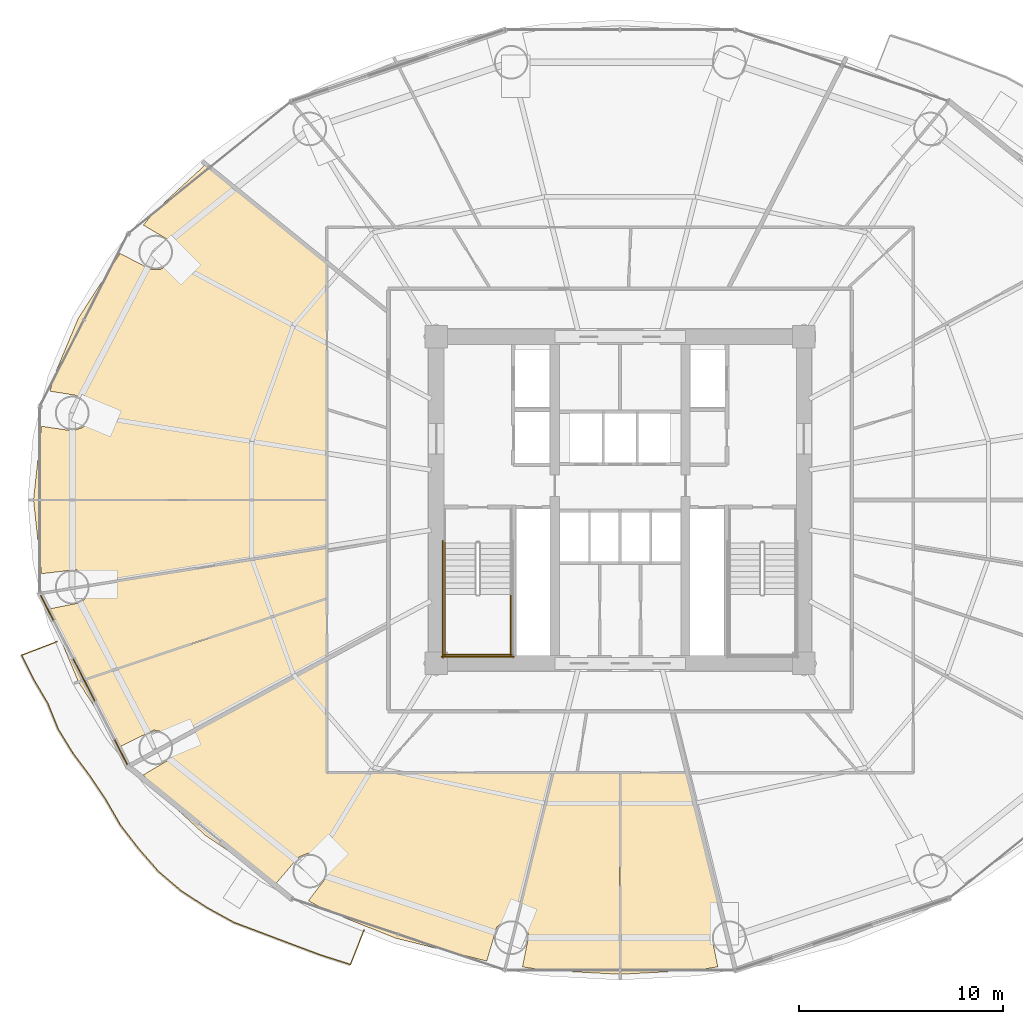
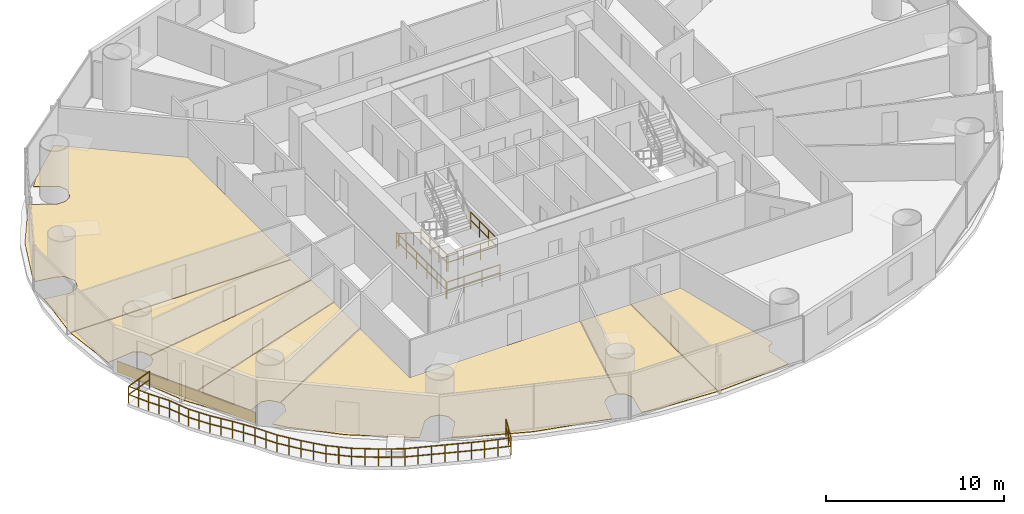
# One storey, part 26 of 29: 8 coverings, 7 railings.
"""IFC4 building model written with IfcOpenShell, lengths in metres."""

import ifcopenshell
import ifcopenshell.guid

model = None  # the IFC model being written
_history = None  # IfcOwnerHistory: only IFC2X3 demands one
_inside = {}  # id of a spatial element -> (the spatial element, [elements in it])
_under = {}  # id of a project, library or spatial element -> (it, [spatial elements below it])
_declared = {}  # id of a project -> (the project, [libraries it declares])
_typed = {}  # id of a type object -> (the type object, [elements of that type])
_made_of = {}  # id of a material, layer set ... -> (it, [elements and type objects made of it])


def new_model(schema):
    """Start an empty IFC model of exactly this schema.

    Asked for "IFC4X3", IfcOpenShell would pick the latest addendum, in which some entities
    have other attributes; the version numbers below select the first issue.
    IFC2X3 requires an IfcOwnerHistory on every rooted entity: one is made here for all.
    """
    global model, _history
    if schema == "IFC4X3":
        model = ifcopenshell.file(schema_version=(4, 3, 0, 0))
    else:
        model = ifcopenshell.file(schema=schema)
    _inside.clear()
    _under.clear()
    _declared.clear()
    _typed.clear()
    _made_of.clear()
    _history = None
    if model.schema == "IFC2X3":
        org = make("IfcOrganization", Name="unknown")
        user = make(
            "IfcPersonAndOrganization",
            ThePerson=make("IfcPerson", FamilyName="unknown"),
            TheOrganization=org,
        )
        app = make(
            "IfcApplication",
            ApplicationDeveloper=org,
            Version="unknown",
            ApplicationFullName="unknown",
            ApplicationIdentifier="unknown",
        )
        _history = make(
            "IfcOwnerHistory",
            OwningUser=user,
            OwningApplication=app,
            ChangeAction="ADDED",
            CreationDate=0,
        )
    return model


def make(cls, **values):
    """One entity of the class cls with the attributes given. An attribute that is None is left unset."""
    return model.create_entity(
        cls, **{name: value for name, value in values.items() if value is not None}
    )


def rooted(cls, **values):
    """An entity with a GlobalId (a new one), such as an element, a storey or a relation."""
    return make(cls, GlobalId=ifcopenshell.guid.new(), OwnerHistory=_history, **values)


def si_unit(unit_type, name, prefix=None):
    """IfcSIUnit, for example si_unit("LENGTHUNIT", "METRE", prefix="MILLI")."""
    return make("IfcSIUnit", UnitType=unit_type, Prefix=prefix, Name=name)


def assignment(units):
    """IfcUnitAssignment: the units of a project."""
    return None if units is None else make("IfcUnitAssignment", Units=units)


def point(xyz):
    """IfcCartesianPoint."""
    return None if xyz is None else make("IfcCartesianPoint", Coordinates=xyz)


def direction(xyz):
    """IfcDirection."""
    return None if xyz is None else make("IfcDirection", DirectionRatios=xyz)


def frame(location, z_axis=None, x_axis=None):
    """IfcAxis2Placement3D, a coordinate frame: its origin and axes. An axis left out is left unset."""
    return make(
        "IfcAxis2Placement3D",
        Location=point(location),
        Axis=direction(z_axis),
        RefDirection=direction(x_axis),
    )


def frame_2d(location, x_axis=None):
    """IfcAxis2Placement2D, a coordinate frame in the plane: its origin and x axis."""
    return make(
        "IfcAxis2Placement2D", Location=point(location), RefDirection=direction(x_axis)
    )


def origin():
    """The frame at (0, 0, 0) with its axes left unset."""
    return frame((0.0, 0.0, 0.0))


def origin_2d():
    """The frame at (0, 0) in the plane with its x axis left unset."""
    return frame_2d((0.0, 0.0))


def place(relative_to, where):
    """IfcLocalPlacement: puts the frame where relative to a parent placement (None: the world)."""
    return make(
        "IfcLocalPlacement", PlacementRelTo=relative_to, RelativePlacement=where
    )


def context(
    kind, dimensions, precision=None, world=None, true_north=None, identifier=None
):
    """IfcGeometricRepresentationContext, for example the 3D "Model" context."""
    return make(
        "IfcGeometricRepresentationContext",
        ContextIdentifier=identifier,
        ContextType=kind,
        CoordinateSpaceDimension=dimensions,
        Precision=precision,
        WorldCoordinateSystem=world,
        TrueNorth=true_north,
    )


def subcontext(parent, identifier, kind, view, scale=None):
    """IfcGeometricRepresentationSubContext, for example "Body" below "Model"."""
    return make(
        "IfcGeometricRepresentationSubContext",
        ContextIdentifier=identifier,
        ContextType=kind,
        ParentContext=parent,
        TargetScale=scale,
        TargetView=view,
    )


def project(units=None, contexts=None):
    """IfcProject with its units and contexts."""
    return rooted(
        "IfcProject",
        Name="project",
        RepresentationContexts=contexts,
        UnitsInContext=assignment(units),
    )


def spatial(cls, under=None, at=None, **own):
    """A site, building, storey or space (cls), placed at a placement, below another one or the project."""
    s = rooted(cls, ObjectPlacement=at, **own)
    if under is not None:
        _under.setdefault(under.id(), (under, []))[1].append(s)
    return s


def polyline(points):
    """IfcPolyline through the points."""
    return make("IfcPolyline", Points=[point(p) for p in points])


def profile(cls, at=None, kind="AREA", **sizes):
    """A parametric profile (cls). Its sizes go by their IFC names, for example OverallWidth=200.0."""
    return make(cls, ProfileType=kind, Position=at, **sizes)


def rectangle(**sizes):
    """IfcRectangleProfileDef."""
    return profile("IfcRectangleProfileDef", **sizes)


def outline(outer, holes=None, kind="AREA"):
    """IfcArbitraryClosedProfileDef: a profile drawn as a closed curve; with holes, ...WithVoids."""
    if holes is None:
        return make("IfcArbitraryClosedProfileDef", ProfileType=kind, OuterCurve=outer)
    return make(
        "IfcArbitraryProfileDefWithVoids",
        ProfileType=kind,
        OuterCurve=outer,
        InnerCurves=holes,
    )


def extrude(swept, where, along, depth):
    """IfcExtrudedAreaSolid: the profile swept, set in the frame where, extruded along a direction by depth."""
    return make(
        "IfcExtrudedAreaSolid",
        SweptArea=swept,
        Position=where,
        ExtrudedDirection=direction(along),
        Depth=depth,
    )


def shape(context_of_items, identifier, shape_type, items):
    """IfcShapeRepresentation: the items that make up one representation, for example the "Body"."""
    return make(
        "IfcShapeRepresentation",
        ContextOfItems=context_of_items,
        RepresentationIdentifier=identifier,
        RepresentationType=shape_type,
        Items=items,
    )


def source(mapping_origin, context_of_items, identifier, shape_type, items):
    """IfcRepresentationMap: a shape defined once, which mapped items show again and again."""
    return make(
        "IfcRepresentationMap",
        MappingOrigin=mapping_origin,
        MappedRepresentation=shape(context_of_items, identifier, shape_type, items),
    )


def transform(
    local_origin,
    x_axis=None,
    y_axis=None,
    z_axis=None,
    scale=None,
    scale2=None,
    scale3=None,
    uniform=True,
):
    """IfcCartesianTransformationOperator3D, or its non-uniform kind. x_axis, y_axis, z_axis: its Axis1, 2, 3."""
    if uniform:
        return make(
            "IfcCartesianTransformationOperator3D",
            Axis1=direction(x_axis),
            Axis2=direction(y_axis),
            LocalOrigin=point(local_origin),
            Scale=scale,
            Axis3=direction(z_axis),
        )
    return make(
        "IfcCartesianTransformationOperator3DnonUniform",
        Axis1=direction(x_axis),
        Axis2=direction(y_axis),
        LocalOrigin=point(local_origin),
        Scale=scale,
        Axis3=direction(z_axis),
        Scale2=scale2,
        Scale3=scale3,
    )


def mapped(mapping_source, mapping_target):
    """IfcMappedItem: shows the shape of a source again, moved by a transform."""
    return make(
        "IfcMappedItem", MappingSource=mapping_source, MappingTarget=mapping_target
    )


def material(Name=None, Category=None):
    """IfcMaterial."""
    return make("IfcMaterial", Name=Name, Category=Category)


def layer(
    of_material, thickness, ventilated=None, Name=None, Category=None, Priority=None
):
    """IfcMaterialLayer: one layer of a wall or slab, of a material (None: an air gap)."""
    return make(
        "IfcMaterialLayer",
        Material=of_material,
        LayerThickness=thickness,
        IsVentilated=ventilated,
        Name=Name,
        Category=Category,
        Priority=Priority,
    )


def layer_set(layers, Name=None):
    """IfcMaterialLayerSet."""
    return make("IfcMaterialLayerSet", MaterialLayers=layers, LayerSetName=Name)


def made_of(thing, what):
    """Note that an element or type object is made of a material, layer set ...; save() writes the relation."""
    if what is not None:
        _made_of.setdefault(what.id(), (what, []))[1].append(thing)
    return thing


def type_object(cls, material=None, **own):
    """A type object (cls), such as IfcWallType, which elements share."""
    return made_of(rooted(cls, **own), material)


def element(
    cls,
    number,
    at=None,
    inside=None,
    cuts=None,
    type_object=None,
    material=None,
    context=None,
    identifier="Body",
    shape_type=None,
    held_by="IfcProductDefinitionShape",
    body=None,
    shapes=None,
    **own,
):
    """One element of the class cls, such as IfcWall. Its Tag is "e" and its number.

    at: its placement. inside: the storey or other place that contains it. cuts: it is an
    opening in that element (IfcRelVoidsElement). A single representation is given by context,
    identifier, shape_type and body (its items); several are given by shapes. held_by: the class
    of the entity that holds the representations. save() writes the other relations.
    """
    e = rooted(cls, Tag="e%d" % number, ObjectPlacement=at, **own)
    if body is not None:
        shapes = [shape(context, identifier, shape_type, body)]
    if shapes is not None:
        e.Representation = make(held_by, Representations=shapes)
    if inside is not None:
        _inside.setdefault(inside.id(), (inside, []))[1].append(e)
    if cuts is not None:
        rooted(
            "IfcRelVoidsElement", RelatingBuildingElement=cuts, RelatedOpeningElement=e
        )
    if type_object is not None:
        _typed.setdefault(type_object.id(), (type_object, []))[1].append(e)
    return made_of(e, material)


def aggregate(whole, parts):
    """IfcRelAggregates: a whole, such as a stair, and the parts it consists of."""
    return rooted("IfcRelAggregates", RelatingObject=whole, RelatedObjects=parts)


def save(model, path):
    """Write the relations noted so far, then the file.

    IfcRelAggregates (storeys below a building ...), IfcRelContainedInSpatialStructure (elements
    in a storey), IfcRelDefinesByType, IfcRelAssociatesMaterial and IfcRelDeclares: one each for
    every whole, place, type object, material and project.
    """
    for whole, parts in _under.values():
        aggregate(whole, parts)
    for where, things in _inside.values():
        rooted(
            "IfcRelContainedInSpatialStructure",
            RelatedElements=things,
            RelatingStructure=where,
        )
    for kind, things in _typed.values():
        rooted("IfcRelDefinesByType", RelatedObjects=things, RelatingType=kind)
    for what, things in _made_of.values():
        rooted("IfcRelAssociatesMaterial", RelatedObjects=things, RelatingMaterial=what)
    for by, libraries in _declared.values():
        rooted("IfcRelDeclares", RelatingContext=by, RelatedDefinitions=libraries)
    model.write(path)


model = new_model("IFC4")

# Units and contexts
model_context = context("Model", 3, precision=1e-05, world=origin(), true_north=direction((-0.2419218956, 0.970295726276)))
body_context = subcontext(model_context, "Body", "Model", "MODEL_VIEW")
ifc_project = project(units=[si_unit("LENGTHUNIT", "METRE"), si_unit("AREAUNIT", "SQUARE_METRE"), si_unit("VOLUMEUNIT", "CUBIC_METRE"), si_unit("PLANEANGLEUNIT", "RADIAN"), si_unit("MASSUNIT", "GRAM", prefix="KILO")], contexts=[model_context])

# Site, building, storey
site_placement = place(None, origin())
site = spatial("IfcSite", under=ifc_project, at=site_placement, CompositionType="ELEMENT")
building_placement = place(site_placement, origin())
building = spatial("IfcBuilding", under=site, at=building_placement, Name="Cobrevalo Terracotta Tower", CompositionType="ELEMENT")
storey_placement = place(building_placement, frame((0.0, 0.0, 70.800048828125)))
storey = spatial("IfcBuildingStorey", under=building, at=storey_placement, Name="L18", CompositionType="ELEMENT", Elevation=70.800048828125)

# Railing
ifc_material_1 = material(Name="Laminated structural glass and stainless steel", Category="steel")
railing_type_1 = type_object("IfcRailingType", Name="Balcony lobe structural glass & terracotta-cap balustrade 1180 mm", PredefinedType="BALUSTRADE", material=ifc_material_1)
railing_1_placement = place(storey_placement, frame((10.439208984375, 19.87158203125, 0.0)))
element("IfcRailing", 1, at=railing_1_placement, inside=storey, type_object=railing_type_1, Name="L18 spiralling balcony lobe balustrade 2", PredefinedType="BALUSTRADE", context=body_context, shape_type="SweptSolid", body=[
    extrude(rectangle(XDim=0.048095703125, YDim=0.048095703125, at=origin_2d()), frame((0.0, 0.0, 1.15576171875), z_axis=(-0.933954290556, -0.35739247775, 0.0), x_axis=(0.35739247775, -0.933954290556, 0.0)), (0.0, 0.0, 1.0), 1.866943359375),
    extrude(rectangle(XDim=0.048095703125, YDim=0.048095703125, at=origin_2d()), frame((0.0, 0.0, 0.58984375), z_axis=(-0.933954290556, -0.35739247775, 0.0), x_axis=(0.35739247775, -0.933954290556, 0.0)), (0.0, 0.0, 1.0), 1.866943359375),
    extrude(rectangle(XDim=0.048095703125, YDim=0.048095703125, at=origin_2d()), frame((-1.74365234375, -0.667236328125, 1.15576171875), z_axis=(0.446559708263, -0.894753835955, 0.0), x_axis=(0.894753835955, 0.446559708263, 0.0)), (0.0, 0.0, 1.0), 1.344482421875),
    extrude(rectangle(XDim=0.048095703125, YDim=0.048095703125, at=origin_2d()), frame((-1.74365234375, -0.667236328125, 0.58984375), z_axis=(0.446559708263, -0.894753835955, 0.0), x_axis=(0.894753835955, 0.446559708263, 0.0)), (0.0, 0.0, 1.0), 1.344482421875),
    extrude(rectangle(XDim=0.048095703125, YDim=0.048095703125, at=origin_2d()), frame((-1.143310546875, -1.8701171875, 1.15576171875), z_axis=(0.508643381431, -0.860977299658, 0.0), x_axis=(0.860977299658, 0.508643381431, 0.0)), (0.0, 0.0, 1.0), 1.340087890625),
    extrude(rectangle(XDim=0.048095703125, YDim=0.048095703125, at=origin_2d()), frame((-1.143310546875, -1.8701171875, 0.58984375), z_axis=(0.508643381431, -0.860977299658, 0.0), x_axis=(0.860977299658, 0.508643381431, 0.0)), (0.0, 0.0, 1.0), 1.340087890625),
    extrude(rectangle(XDim=0.048095703125, YDim=0.048095703125, at=origin_2d()), frame((-0.461669921875, -3.02392578125, 1.15576171875), z_axis=(0.375068994527, -0.926996898239, 0.0), x_axis=(0.926996898239, 0.375068994527, 0.0)), (0.0, 0.0, 1.0), 1.3720703125),
    extrude(rectangle(XDim=0.048095703125, YDim=0.048095703125, at=origin_2d()), frame((-0.461669921875, -3.02392578125, 0.58984375), z_axis=(0.375068994527, -0.926996898239, 0.0), x_axis=(0.926996898239, 0.375068994527, 0.0)), (0.0, 0.0, 1.0), 1.3720703125),
    extrude(rectangle(XDim=0.048095703125, YDim=0.048095703125, at=origin_2d()), frame((0.052978515625, -4.2958984375, 1.15576171875), z_axis=(0.521811507393, -0.853060813045, 0.0), x_axis=(0.853060813045, 0.521811507393, 0.0)), (0.0, 0.0, 1.0), 1.36572265625),
    extrude(rectangle(XDim=0.048095703125, YDim=0.048095703125, at=origin_2d()), frame((0.052978515625, -4.2958984375, 0.58984375), z_axis=(0.521811507393, -0.853060813045, 0.0), x_axis=(0.853060813045, 0.521811507393, 0.0)), (0.0, 0.0, 1.0), 1.36572265625),
    extrude(rectangle(XDim=0.048095703125, YDim=0.048095703125, at=origin_2d()), frame((0.765625, -5.4609375, 1.15576171875), z_axis=(0.597737328175, -0.801692014745, 0.0), x_axis=(0.801692014745, 0.597737328175, 0.0)), (0.0, 0.0, 1.0), 1.382568359375),
    extrude(rectangle(XDim=0.048095703125, YDim=0.048095703125, at=origin_2d()), frame((0.765625, -5.4609375, 0.58984375), z_axis=(0.597737328175, -0.801692014745, 0.0), x_axis=(0.801692014745, 0.597737328175, 0.0)), (0.0, 0.0, 1.0), 1.382568359375),
    extrude(rectangle(XDim=0.048095703125, YDim=0.048095703125, at=origin_2d()), frame((1.592041015625, -6.5693359375, 1.15576171875), z_axis=(0.558466109692, -0.829527337901, 0.0), x_axis=(0.829527337901, 0.558466109692, 0.0)), (0.0, 0.0, 1.0), 1.404052734375),
    extrude(rectangle(XDim=0.048095703125, YDim=0.048095703125, at=origin_2d()), frame((1.592041015625, -6.5693359375, 0.58984375), z_axis=(0.558466109692, -0.829527337901, 0.0), x_axis=(0.829527337901, 0.558466109692, 0.0)), (0.0, 0.0, 1.0), 1.404052734375),
    extrude(rectangle(XDim=0.048095703125, YDim=0.048095703125, at=origin_2d()), frame((2.376220703125, -7.734130859375, 1.15576171875), z_axis=(0.497268614856, -0.867596637084, 0.0), x_axis=(0.867596637084, 0.497268614856, 0.0)), (0.0, 0.0, 1.0), 1.4423828125),
    extrude(rectangle(XDim=0.048095703125, YDim=0.048095703125, at=origin_2d()), frame((2.376220703125, -7.734130859375, 0.58984375), z_axis=(0.497268614856, -0.867596637084, 0.0), x_axis=(0.867596637084, 0.497268614856, 0.0)), (0.0, 0.0, 1.0), 1.4423828125),
    extrude(rectangle(XDim=0.048095703125, YDim=0.048095703125, at=origin_2d()), frame((3.093505859375, -8.985595703125, 1.15576171875), z_axis=(0.611054008464, -0.791588907666, 0.0), x_axis=(0.791588907666, 0.611054008464, 0.0)), (0.0, 0.0, 1.0), 1.4658203125),
    extrude(rectangle(XDim=0.048095703125, YDim=0.048095703125, at=origin_2d()), frame((3.093505859375, -8.985595703125, 0.58984375), z_axis=(0.611054008464, -0.791588907666, 0.0), x_axis=(0.791588907666, 0.611054008464, 0.0)), (0.0, 0.0, 1.0), 1.4658203125),
    extrude(rectangle(XDim=0.048095703125, YDim=0.048095703125, at=origin_2d()), frame((3.9892578125, -10.14599609375, 1.15576171875), z_axis=(0.656789864835, -0.754073652536, 0.0), x_axis=(0.754073652536, 0.656789864835, 0.0)), (0.0, 0.0, 1.0), 1.47314453125),
    extrude(rectangle(XDim=0.048095703125, YDim=0.048095703125, at=origin_2d()), frame((3.9892578125, -10.14599609375, 0.58984375), z_axis=(0.656789864835, -0.754073652536, 0.0), x_axis=(0.754073652536, 0.656789864835, 0.0)), (0.0, 0.0, 1.0), 1.47314453125),
    extrude(rectangle(XDim=0.048095703125, YDim=0.048095703125, at=origin_2d()), frame((4.956787109375, -11.2568359375, 1.15576171875), z_axis=(0.759826028351, -0.650126454346, 0.0), x_axis=(0.650126454346, 0.759826028351, 0.0)), (0.0, 0.0, 1.0), 1.482177734375),
    extrude(rectangle(XDim=0.048095703125, YDim=0.048095703125, at=origin_2d()), frame((4.956787109375, -11.2568359375, 0.58984375), z_axis=(0.759826028351, -0.650126454346, 0.0), x_axis=(0.650126454346, 0.759826028351, 0.0)), (0.0, 0.0, 1.0), 1.482177734375),
    extrude(rectangle(XDim=0.048095703125, YDim=0.048095703125, at=origin_2d()), frame((6.0830078125, -12.220458984375, 1.15576171875), z_axis=(0.840834497113, -0.54129229485, 0.0), x_axis=(0.54129229485, 0.840834497113, 0.0)), (0.0, 0.0, 1.0), 1.499755859375),
    extrude(rectangle(XDim=0.048095703125, YDim=0.048095703125, at=origin_2d()), frame((6.0830078125, -12.220458984375, 0.58984375), z_axis=(0.840834497113, -0.54129229485, 0.0), x_axis=(0.54129229485, 0.840834497113, 0.0)), (0.0, 0.0, 1.0), 1.499755859375),
    extrude(rectangle(XDim=0.048095703125, YDim=0.048095703125, at=origin_2d()), frame((7.343994140625, -13.0322265625, 1.15576171875), z_axis=(0.875887634911, -0.482515130343, 0.0), x_axis=(0.482515130343, 0.875887634911, 0.0)), (0.0, 0.0, 1.0), 1.49267578125),
    extrude(rectangle(XDim=0.048095703125, YDim=0.048095703125, at=origin_2d()), frame((7.343994140625, -13.0322265625, 0.58984375), z_axis=(0.875887634911, -0.482515130343, 0.0), x_axis=(0.482515130343, 0.875887634911, 0.0)), (0.0, 0.0, 1.0), 1.49267578125),
    extrude(rectangle(XDim=0.048095703125, YDim=0.048095703125, at=origin_2d()), frame((8.6513671875, -13.75244140625, 1.15576171875), z_axis=(0.936198337969, -0.351472149656, 0.0), x_axis=(0.351472149656, 0.936198337969, 0.0)), (0.0, 0.0, 1.0), 1.534423828125),
    extrude(rectangle(XDim=0.048095703125, YDim=0.048095703125, at=origin_2d()), frame((8.6513671875, -13.75244140625, 0.58984375), z_axis=(0.936198337969, -0.351472149656, 0.0), x_axis=(0.351472149656, 0.936198337969, 0.0)), (0.0, 0.0, 1.0), 1.534423828125),
    extrude(rectangle(XDim=0.048095703125, YDim=0.048095703125, at=origin_2d()), frame((10.087890625, -14.291748046875, 1.15576171875), z_axis=(0.935135939184, -0.354289112514, 0.0), x_axis=(0.354289112514, 0.935135939184, 0.0)), (0.0, 0.0, 1.0), 1.511962890625),
    extrude(rectangle(XDim=0.048095703125, YDim=0.048095703125, at=origin_2d()), frame((10.087890625, -14.291748046875, 0.58984375), z_axis=(0.935135939184, -0.354289112514, 0.0), x_axis=(0.354289112514, 0.935135939184, 0.0)), (0.0, 0.0, 1.0), 1.511962890625),
    extrude(rectangle(XDim=0.048095703125, YDim=0.048095703125, at=origin_2d()), frame((11.501708984375, -14.827392578125, 1.15576171875), z_axis=(0.937112239997, -0.349028150223, 0.0), x_axis=(0.349028150223, 0.937112239997, 0.0)), (0.0, 0.0, 1.0), 1.50732421875),
    extrude(rectangle(XDim=0.048095703125, YDim=0.048095703125, at=origin_2d()), frame((11.501708984375, -14.827392578125, 0.58984375), z_axis=(0.937112239997, -0.349028150223, 0.0), x_axis=(0.349028150223, 0.937112239997, 0.0)), (0.0, 0.0, 1.0), 1.50732421875),
    extrude(rectangle(XDim=0.048095703125, YDim=0.048095703125, at=origin_2d()), frame((12.914306640625, -15.353515625, 1.15576171875), z_axis=(0.952761108496, -0.303720710749, 0.0), x_axis=(0.303720710749, 0.952761108496, 0.0)), (0.0, 0.0, 1.0), 1.52001953125),
    extrude(rectangle(XDim=0.048095703125, YDim=0.048095703125, at=origin_2d()), frame((12.914306640625, -15.353515625, 0.58984375), z_axis=(0.952761108496, -0.303720710749, 0.0), x_axis=(0.303720710749, 0.952761108496, 0.0)), (0.0, 0.0, 1.0), 1.52001953125),
    extrude(rectangle(XDim=0.048095703125, YDim=0.048095703125, at=origin_2d()), frame((14.362548828125, -15.815185546875, 1.15576171875), z_axis=(0.364631079954, 0.931152068962, 0.0), x_axis=(-0.931152068962, 0.364631079954, 0.0)), (0.0, 0.0, 1.0), 1.8271484375),
    extrude(rectangle(XDim=0.048095703125, YDim=0.048095703125, at=origin_2d()), frame((14.362548828125, -15.815185546875, 0.58984375), z_axis=(0.364631079954, 0.931152068962, 0.0), x_axis=(-0.931152068962, 0.364631079954, 0.0)), (0.0, 0.0, 1.0), 1.8271484375),
    extrude(rectangle(XDim=0.0419921875, YDim=0.0419921875, at=origin_2d()), origin(), (0.0, 0.0, 1.0), 1.1318359375),
    extrude(rectangle(XDim=0.0419921875, YDim=0.0419921875, at=origin_2d()), frame((-0.871826171875, -0.33349609375, 0.0)), (0.0, 0.0, 1.0), 1.1318359375),
    extrude(rectangle(XDim=0.0419921875, YDim=0.0419921875, at=origin_2d()), frame((-1.74365234375, -0.667236328125, 0.0)), (0.0, 0.0, 1.0), 1.1318359375),
    extrude(rectangle(XDim=0.0419921875, YDim=0.0419921875, at=origin_2d()), frame((-1.443359375, -1.2685546875, 0.0)), (0.0, 0.0, 1.0), 1.1318359375),
    extrude(rectangle(XDim=0.0419921875, YDim=0.0419921875, at=origin_2d()), frame((-1.143310546875, -1.8701171875, 0.0)), (0.0, 0.0, 1.0), 1.1318359375),
    extrude(rectangle(XDim=0.0419921875, YDim=0.0419921875, at=origin_2d()), frame((-0.802490234375, -2.447021484375, 0.0)), (0.0, 0.0, 1.0), 1.1318359375),
    extrude(rectangle(XDim=0.0419921875, YDim=0.0419921875, at=origin_2d()), frame((-0.461669921875, -3.02392578125, 0.0)), (0.0, 0.0, 1.0), 1.1318359375),
    extrude(rectangle(XDim=0.0419921875, YDim=0.0419921875, at=origin_2d()), frame((-0.204345703125, -3.659912109375, 0.0)), (0.0, 0.0, 1.0), 1.1318359375),
    extrude(rectangle(XDim=0.0419921875, YDim=0.0419921875, at=origin_2d()), frame((0.052978515625, -4.2958984375, 0.0)), (0.0, 0.0, 1.0), 1.1318359375),
    extrude(rectangle(XDim=0.0419921875, YDim=0.0419921875, at=origin_2d()), frame((0.4091796875, -4.87841796875, 0.0)), (0.0, 0.0, 1.0), 1.1318359375),
    extrude(rectangle(XDim=0.0419921875, YDim=0.0419921875, at=origin_2d()), frame((0.765625, -5.4609375, 0.0)), (0.0, 0.0, 1.0), 1.1318359375),
    extrude(rectangle(XDim=0.0419921875, YDim=0.0419921875, at=origin_2d()), frame((1.1787109375, -6.01513671875, 0.0)), (0.0, 0.0, 1.0), 1.1318359375),
    extrude(rectangle(XDim=0.0419921875, YDim=0.0419921875, at=origin_2d()), frame((1.592041015625, -6.5693359375, 0.0)), (0.0, 0.0, 1.0), 1.1318359375),
    extrude(rectangle(XDim=0.0419921875, YDim=0.0419921875, at=origin_2d()), frame((1.984130859375, -7.15185546875, 0.0)), (0.0, 0.0, 1.0), 1.1318359375),
    extrude(rectangle(XDim=0.0419921875, YDim=0.0419921875, at=origin_2d()), frame((2.376220703125, -7.734130859375, 0.0)), (0.0, 0.0, 1.0), 1.1318359375),
    extrude(rectangle(XDim=0.0419921875, YDim=0.0419921875, at=origin_2d()), frame((2.73486328125, -8.35986328125, 0.0)), (0.0, 0.0, 1.0), 1.1318359375),
    extrude(rectangle(XDim=0.0419921875, YDim=0.0419921875, at=origin_2d()), frame((3.093505859375, -8.985595703125, 0.0)), (0.0, 0.0, 1.0), 1.1318359375),
    extrude(rectangle(XDim=0.0419921875, YDim=0.0419921875, at=origin_2d()), frame((3.54150390625, -9.56591796875, 0.0)), (0.0, 0.0, 1.0), 1.1318359375),
    extrude(rectangle(XDim=0.0419921875, YDim=0.0419921875, at=origin_2d()), frame((3.9892578125, -10.14599609375, 0.0)), (0.0, 0.0, 1.0), 1.1318359375),
    extrude(rectangle(XDim=0.0419921875, YDim=0.0419921875, at=origin_2d()), frame((4.47314453125, -10.701416015625, 0.0)), (0.0, 0.0, 1.0), 1.1318359375),
    extrude(rectangle(XDim=0.0419921875, YDim=0.0419921875, at=origin_2d()), frame((4.956787109375, -11.2568359375, 0.0)), (0.0, 0.0, 1.0), 1.1318359375),
    extrude(rectangle(XDim=0.0419921875, YDim=0.0419921875, at=origin_2d()), frame((5.52001953125, -11.73876953125, 0.0)), (0.0, 0.0, 1.0), 1.1318359375),
    extrude(rectangle(XDim=0.0419921875, YDim=0.0419921875, at=origin_2d()), frame((6.0830078125, -12.220458984375, 0.0)), (0.0, 0.0, 1.0), 1.1318359375),
    extrude(rectangle(XDim=0.0419921875, YDim=0.0419921875, at=origin_2d()), frame((6.71337890625, -12.62646484375, 0.0)), (0.0, 0.0, 1.0), 1.1318359375),
    extrude(rectangle(XDim=0.0419921875, YDim=0.0419921875, at=origin_2d()), frame((7.343994140625, -13.0322265625, 0.0)), (0.0, 0.0, 1.0), 1.1318359375),
    extrude(rectangle(XDim=0.0419921875, YDim=0.0419921875, at=origin_2d()), frame((7.99755859375, -13.392333984375, 0.0)), (0.0, 0.0, 1.0), 1.1318359375),
    extrude(rectangle(XDim=0.0419921875, YDim=0.0419921875, at=origin_2d()), frame((8.6513671875, -13.75244140625, 0.0)), (0.0, 0.0, 1.0), 1.1318359375),
    extrude(rectangle(XDim=0.0419921875, YDim=0.0419921875, at=origin_2d()), frame((9.36962890625, -14.02197265625, 0.0)), (0.0, 0.0, 1.0), 1.1318359375),
    extrude(rectangle(XDim=0.0419921875, YDim=0.0419921875, at=origin_2d()), frame((10.087890625, -14.291748046875, 0.0)), (0.0, 0.0, 1.0), 1.1318359375),
    extrude(rectangle(XDim=0.0419921875, YDim=0.0419921875, at=origin_2d()), frame((10.794921875, -14.5595703125, 0.0)), (0.0, 0.0, 1.0), 1.1318359375),
    extrude(rectangle(XDim=0.0419921875, YDim=0.0419921875, at=origin_2d()), frame((11.501708984375, -14.827392578125, 0.0)), (0.0, 0.0, 1.0), 1.1318359375),
    extrude(rectangle(XDim=0.0419921875, YDim=0.0419921875, at=origin_2d()), frame((12.2080078125, -15.09033203125, 0.0)), (0.0, 0.0, 1.0), 1.1318359375),
    extrude(rectangle(XDim=0.0419921875, YDim=0.0419921875, at=origin_2d()), frame((12.914306640625, -15.353515625, 0.0)), (0.0, 0.0, 1.0), 1.1318359375),
    extrude(rectangle(XDim=0.0419921875, YDim=0.0419921875, at=origin_2d()), frame((13.638427734375, -15.58447265625, 0.0)), (0.0, 0.0, 1.0), 1.1318359375),
    extrude(rectangle(XDim=0.0419921875, YDim=0.0419921875, at=origin_2d()), frame((14.362548828125, -15.815185546875, 0.0)), (0.0, 0.0, 1.0), 1.1318359375),
    extrude(rectangle(XDim=0.0419921875, YDim=0.0419921875, at=origin_2d()), frame((14.69580078125, -14.96435546875, 0.0)), (0.0, 0.0, 1.0), 1.1318359375),
    extrude(rectangle(XDim=0.0419921875, YDim=0.0419921875, at=origin_2d()), frame((15.02880859375, -14.11376953125, 0.0)), (0.0, 0.0, 1.0), 1.1318359375),
])

# Coverings
ifc_material_2 = material(Name="Engineered Brazilian hardwood flooring", Category="wood")
ifc_layer_1 = layer(ifc_material_2, 0.028076171875)
ifc_layer_set_1 = layer_set([ifc_layer_1], Name="Engineered Brazilian hardwood flooring")
covering_type_1 = type_object("IfcCoveringType", Name="Engineered Hardwood Suite Flooring 28", PredefinedType="FLOORING", material=ifc_layer_set_1)
covering_1_placement = place(storey_placement, origin())
element("IfcCovering", 2, at=covering_1_placement, inside=storey, type_object=covering_type_1, Name="Flat L18C Penthouse Living and Dining Room floor finish", PredefinedType="FLOORING", context=body_context, shape_type="SweptSolid", body=[
    extrude(outline(polyline([(9.668701171875, 30.4111328125), (11.209716796875, 30.183349609375), (11.6923828125, 30.350341796875), (11.92578125, 30.6025390625), (12.054931640625, 31.096923828125), (11.773193359375, 31.708740234375), (11.314697265625, 31.931640625), (10.090576171875, 32.126220703125), (10.25830078125, 32.80859375), (11.465576171875, 35.684326171875), (13.511962890625, 38.87451171875), (15.00439453125, 38.096923828125), (15.51513671875, 38.09716796875), (15.93994140625, 38.38134765625), (16.135009765625, 39.02587890625), (15.939208984375, 39.497802734375), (14.65576171875, 40.2587890625), (15.213623046875, 40.933837890625), (17.701416015625, 43.222900390625), (23.625, 38.4228515625), (23.625, 26.820068359375), (9.28173828125, 26.820068359375), (9.668701171875, 30.4111328125)])), origin(), (0.0, 0.0, 1.0), 0.030029296875),
])
covering_2_placement = place(storey_placement, origin())
element("IfcCovering", 3, at=covering_2_placement, inside=storey, type_object=covering_type_1, Name="Flat L18C Master Bedroom floor finish", PredefinedType="FLOORING", context=body_context, shape_type="SweptSolid", body=[
    extrude(outline(polyline([(9.28173828125, 26.780029296875), (23.625, 26.780029296875), (23.625, 24.503173828125), (12.047119140625, 22.636962890625), (11.821533203125, 23.135009765625), (11.380615234375, 23.39306640625), (9.668701171875, 23.18896484375), (9.28173828125, 26.780029296875)])), origin(), (0.0, 0.0, 1.0), 0.030029296875),
])
covering_3_placement = place(storey_placement, origin())
element("IfcCovering", 4, at=covering_3_placement, inside=storey, type_object=covering_type_1, Name="Flat L18C Penthouse Family Lounge floor finish", PredefinedType="FLOORING", context=body_context, shape_type="SweptSolid", body=[
    extrude(outline(polyline([(10.090576171875, 21.473876953125), (11.6357421875, 21.787109375), (11.974853515625, 22.169189453125), (12.04931640625, 22.596923828125), (23.625, 24.462646484375), (23.625, 21.99609375), (11.468505859375, 17.91552734375), (10.25830078125, 20.791259765625), (10.090576171875, 21.473876953125)])), origin(), (0.0, 0.0, 1.0), 0.030029296875),
])
covering_4_placement = place(storey_placement, origin())
element("IfcCovering", 5, at=covering_4_placement, inside=storey, type_object=covering_type_1, Name="Flat L18C Penthouse Family Lounge floor finish", PredefinedType="FLOORING", context=body_context, shape_type="SweptSolid", body=[
    extrude(outline(polyline([(16.084716796875, 14.95654296875), (15.674560546875, 15.436767578125), (15.173583984375, 15.53662109375), (13.511962890625, 14.7255859375), (11.4873046875, 17.8798828125), (23.625, 21.953857421875), (23.625, 19.039306640625), (16.084716796875, 14.95654296875)])), origin(), (0.0, 0.0, 1.0), 0.030029296875),
])
covering_5_placement = place(storey_placement, origin())
element("IfcCovering", 6, at=covering_5_placement, inside=storey, type_object=covering_type_1, Name="Flat L18D Penthouse Living and Dining Room floor finish", PredefinedType="FLOORING", context=body_context, shape_type="SweptSolid", body=[
    extrude(outline(polyline([(27.008056640625, 5.34814453125), (23.638427734375, 6.691650390625), (22.73681640625, 7.178955078125), (23.64501953125, 8.369140625), (23.585205078125, 9.0400390625), (23.227294921875, 9.40478515625), (22.72705078125, 9.509033203125), (22.253173828125, 9.31787109375), (21.156494140625, 8.03271484375), (17.6904296875, 10.38232421875), (15.213623046875, 12.666259765625), (14.65576171875, 13.341064453125), (15.939208984375, 14.10205078125), (16.135009765625, 14.573974609375), (16.09765625, 14.91796875), (23.625, 18.993896484375), (23.625, 13.425048828125), (34.6962890625, 13.425048828125), (32.924560546875, 6.20703125), (32.36669921875, 6.197998046875), (31.95654296875, 5.89306640625), (31.472412109375, 4.2255859375), (27.008056640625, 5.34814453125)])), origin(), (0.0, 0.0, 1.0), 0.030029296875),
])
covering_6_placement = place(storey_placement, origin())
element("IfcCovering", 7, at=covering_6_placement, inside=storey, type_object=covering_type_1, Name="Flat L18D Master Bedroom floor finish", PredefinedType="FLOORING", context=body_context, shape_type="SweptSolid", body=[
    extrude(outline(polyline([(33.21630859375, 3.945068359375), (33.53466796875, 5.500244140625), (33.3154296875, 5.9619140625), (32.96240234375, 6.193359375), (34.737548828125, 13.425048828125), (37.97998046875, 13.425048828125), (37.97998046875, 3.5810546875), (34.250732421875, 3.77880859375), (33.21630859375, 3.945068359375)])), origin(), (0.0, 0.0, 1.0), 0.030029296875),
])
covering_7_placement = place(storey_placement, origin())
element("IfcCovering", 8, at=covering_7_placement, inside=storey, type_object=covering_type_1, Name="Flat L18D Penthouse Family Lounge floor finish", PredefinedType="FLOORING", context=body_context, shape_type="SweptSolid", body=[
    extrude(outline(polyline([(38.02001953125, 13.425048828125), (41.262451171875, 13.425048828125), (43.03759765625, 6.193359375), (42.6845703125, 5.9619140625), (42.46533203125, 5.500244140625), (42.78369140625, 3.945068359375), (41.749267578125, 3.77880859375), (38.02001953125, 3.5810546875), (38.02001953125, 13.425048828125)])), origin(), (0.0, 0.0, 1.0), 0.030029296875),
])

# Railings
ifc_material_3 = material(Name="Brushed stainless steel", Category="steel")
railing_type_2 = type_object("IfcRailingType", Name="Stainless Steel Stair Handrail 900", PredefinedType="HANDRAIL", material=ifc_material_3)
railing_2_placement = place(storey_placement, frame((29.425048828125, 24.699951171875, 0.179931640625)))
element("IfcRailing", 9, at=railing_2_placement, inside=storey, type_object=railing_type_2, Name="L18 ST-1 stair handrail 1", PredefinedType="HANDRAIL", context=body_context, shape_type="SweptSolid", body=[
    extrude(rectangle(XDim=0.048095703125, YDim=0.048095703125, at=origin_2d()), frame((0.0, 0.0, 0.8759765625), z_axis=(0.0, -0.841162588446, 0.540782303519), x_axis=(1.0, 0.0, 0.0)), (0.0, 0.0, 1.0), 2.995849609375),
    extrude(rectangle(XDim=0.0419921875, YDim=0.0419921875, at=origin_2d()), origin(), (0.0, 0.0, 1.0), 0.851806640625),
    extrude(rectangle(XDim=0.0419921875, YDim=0.0419921875, at=origin_2d()), frame((0.0, -0.840087890625, 0.5400390625)), (0.0, 0.0, 1.0), 0.851806640625),
    extrude(rectangle(XDim=0.0419921875, YDim=0.0419921875, at=origin_2d()), frame((0.0, -1.679931640625, 1.080078125)), (0.0, 0.0, 1.0), 0.851806640625),
    extrude(rectangle(XDim=0.0419921875, YDim=0.0419921875, at=origin_2d()), frame((0.0, -2.52001953125, 1.6201171875)), (0.0, 0.0, 1.0), 0.851806640625),
])
ifc_material_4 = material(Name="Painted galvanized steel", Category="steel")
railing_type_3 = type_object("IfcRailingType", Name="Stair Well Guard Balustrade 1150", PredefinedType="GUARDRAIL", material=ifc_material_4)
for number, where, name in (
    (10, (29.425048828125, 22.179931640625, 1.800048828125), "L18 ST-1 stair guard 3"),
    (11, (32.64501953125, 22.179931640625, 1.800048828125), "L18 ST-1 stair guard 4"),
):
    element("IfcRailing", number, at=place(storey_placement, frame(where)), inside=storey, type_object=railing_type_3, Name=name, PredefinedType="GUARDRAIL", context=body_context, shape_type="SweptSolid", body=[
        extrude(rectangle(XDim=0.048095703125, YDim=0.048095703125, at=origin_2d()), frame((0.0, 0.0, 1.1259765625), z_axis=(0.0, -1.0, 0.0), x_axis=(1.0, 0.0, 0.0)), (0.0, 0.0, 1.0), 3.0048828125),
        extrude(rectangle(XDim=0.048095703125, YDim=0.048095703125, at=origin_2d()), frame((0.0, 0.0, 0.574951171875), z_axis=(0.0, -1.0, 0.0), x_axis=(1.0, 0.0, 0.0)), (0.0, 0.0, 1.0), 3.0048828125),
        extrude(rectangle(XDim=0.0419921875, YDim=0.0419921875, at=origin_2d()), origin(), (0.0, 0.0, 1.0), 1.101806640625),
        extrude(rectangle(XDim=0.0419921875, YDim=0.0419921875, at=origin_2d()), frame((0.0, -1.001708984375, 0.0)), (0.0, 0.0, 1.0), 1.101806640625),
        extrude(rectangle(XDim=0.0419921875, YDim=0.0419921875, at=origin_2d()), frame((0.0, -2.003173828125, 0.0)), (0.0, 0.0, 1.0), 1.101806640625),
        extrude(rectangle(XDim=0.0419921875, YDim=0.0419921875, at=origin_2d()), frame((0.0, -3.0048828125, 0.0)), (0.0, 0.0, 1.0), 1.101806640625),
    ])
railing_3_placement = place(storey_placement, frame((29.375, 19.22509765625, 1.800048828125)))
element("IfcRailing", 12, at=railing_3_placement, inside=storey, type_object=railing_type_3, Name="L18 ST-1 stair guard 5", PredefinedType="GUARDRAIL", context=body_context, shape_type="SweptSolid", body=[
    extrude(rectangle(XDim=0.048095703125, YDim=0.048095703125, at=origin_2d()), frame((0.0, 0.0, 1.1259765625), z_axis=(1.0, 0.0, 0.0), x_axis=(0.0, 1.0, 0.0)), (0.0, 0.0, 1.0), 3.320068359375),
    extrude(rectangle(XDim=0.048095703125, YDim=0.048095703125, at=origin_2d()), frame((0.0, 0.0, 0.574951171875), z_axis=(1.0, 0.0, 0.0), x_axis=(0.0, 1.0, 0.0)), (0.0, 0.0, 1.0), 3.320068359375),
    extrude(rectangle(XDim=0.0419921875, YDim=0.0419921875, at=origin_2d()), origin(), (0.0, 0.0, 1.0), 1.101806640625),
    extrude(rectangle(XDim=0.0419921875, YDim=0.0419921875, at=origin_2d()), frame((1.106689453125, 0.0, 0.0)), (0.0, 0.0, 1.0), 1.101806640625),
    extrude(rectangle(XDim=0.0419921875, YDim=0.0419921875, at=origin_2d()), frame((2.21337890625, 0.0, 0.0)), (0.0, 0.0, 1.0), 1.101806640625),
    extrude(rectangle(XDim=0.0419921875, YDim=0.0419921875, at=origin_2d()), frame((3.320068359375, 0.0, 0.0)), (0.0, 0.0, 1.0), 1.101806640625),
])
railing_4_placement = place(storey_placement, frame((29.324951171875, 24.800048828125, 0.0)))
element("IfcRailing", 13, at=railing_4_placement, inside=storey, type_object=railing_type_3, Name="L18 ST-1 stair guard 10", PredefinedType="GUARDRAIL", context=body_context, shape_type="SweptSolid", body=[
    extrude(rectangle(XDim=0.048095703125, YDim=0.048095703125, at=origin_2d()), frame((0.0, 0.0, 1.1259765625), z_axis=(0.0, -1.0, 0.0), x_axis=(1.0, 0.0, 0.0)), (0.0, 0.0, 1.0), 5.72509765625),
    extrude(rectangle(XDim=0.048095703125, YDim=0.048095703125, at=origin_2d()), frame((0.0, 0.0, 0.574951171875), z_axis=(0.0, -1.0, 0.0), x_axis=(1.0, 0.0, 0.0)), (0.0, 0.0, 1.0), 5.72509765625),
    extrude(rectangle(XDim=0.0419921875, YDim=0.0419921875, at=origin_2d()), origin(), (0.0, 0.0, 1.0), 1.101806640625),
    extrude(rectangle(XDim=0.0419921875, YDim=0.0419921875, at=origin_2d()), frame((0.0, -1.14501953125, 0.0)), (0.0, 0.0, 1.0), 1.101806640625),
    extrude(rectangle(XDim=0.0419921875, YDim=0.0419921875, at=origin_2d()), frame((0.0, -2.2900390625, 0.0)), (0.0, 0.0, 1.0), 1.101806640625),
    extrude(rectangle(XDim=0.0419921875, YDim=0.0419921875, at=origin_2d()), frame((0.0, -3.43505859375, 0.0)), (0.0, 0.0, 1.0), 1.101806640625),
    extrude(rectangle(XDim=0.0419921875, YDim=0.0419921875, at=origin_2d()), frame((0.0, -4.580078125, 0.0)), (0.0, 0.0, 1.0), 1.101806640625),
    extrude(rectangle(XDim=0.0419921875, YDim=0.0419921875, at=origin_2d()), frame((0.0, -5.72509765625, 0.0)), (0.0, 0.0, 1.0), 1.101806640625),
])
railing_5_placement = place(storey_placement, frame((29.27490234375, 19.125, 0.0)))
element("IfcRailing", 14, at=railing_5_placement, inside=storey, type_object=railing_type_3, Name="L18 ST-1 stair guard 12", PredefinedType="GUARDRAIL", context=body_context, shape_type="SweptSolid", body=[
    extrude(rectangle(XDim=0.048095703125, YDim=0.048095703125, at=origin_2d()), frame((0.0, 0.0, 1.1259765625), z_axis=(1.0, 0.0, 0.0), x_axis=(0.0, 1.0, 0.0)), (0.0, 0.0, 1.0), 3.52001953125),
    extrude(rectangle(XDim=0.048095703125, YDim=0.048095703125, at=origin_2d()), frame((0.0, 0.0, 0.574951171875), z_axis=(1.0, 0.0, 0.0), x_axis=(0.0, 1.0, 0.0)), (0.0, 0.0, 1.0), 3.52001953125),
    extrude(rectangle(XDim=0.0419921875, YDim=0.0419921875, at=origin_2d()), origin(), (0.0, 0.0, 1.0), 1.101806640625),
    extrude(rectangle(XDim=0.0419921875, YDim=0.0419921875, at=origin_2d()), frame((1.17333984375, 0.0, 0.0)), (0.0, 0.0, 1.0), 1.101806640625),
    extrude(rectangle(XDim=0.0419921875, YDim=0.0419921875, at=origin_2d()), frame((2.3466796875, 0.0, 0.0)), (0.0, 0.0, 1.0), 1.101806640625),
    extrude(rectangle(XDim=0.0419921875, YDim=0.0419921875, at=origin_2d()), frame((3.52001953125, 0.0, 0.0)), (0.0, 0.0, 1.0), 1.101806640625),
])

# Covering
ifc_material_5 = material(Name="Glazed terracotta facade cladding tile", Category="masonry")
ifc_layer_2 = layer(ifc_material_5, 0.044921875)
ifc_layer_set_2 = layer_set([ifc_layer_2], Name="Glazed terracotta facade cladding tile")
covering_type_2 = type_object("IfcCoveringType", Name="Architectural terracotta rainscreen spandrel cladding 45 mm", PredefinedType="CLADDING", material=ifc_layer_set_2)
shared_shape = source(origin(), body_context, "Body", "SweptSolid", [
    extrude(rectangle(XDim=9.30224609375, YDim=0.044921875, at=origin_2d()), origin(), (0.0, 0.0, 1.0), 0.760009765625),
])
covering_8_placement = place(storey_placement, frame((11.74951171875, 17.990966796875, 0.0400390625), z_axis=(0.0, 0.0, 1.0), x_axis=(0.45523102861, -0.890373354605, 0.0)))
element("IfcCovering", 15, at=covering_8_placement, inside=storey, type_object=covering_type_2, Name="L18 terracotta spandrel cladding S09", PredefinedType="CLADDING", context=body_context, shape_type="MappedRepresentation", body=[
    mapped(shared_shape, transform((0.0, 0.0, 0.0), scale=1.0)),
])

save(model, "model.ifc")
